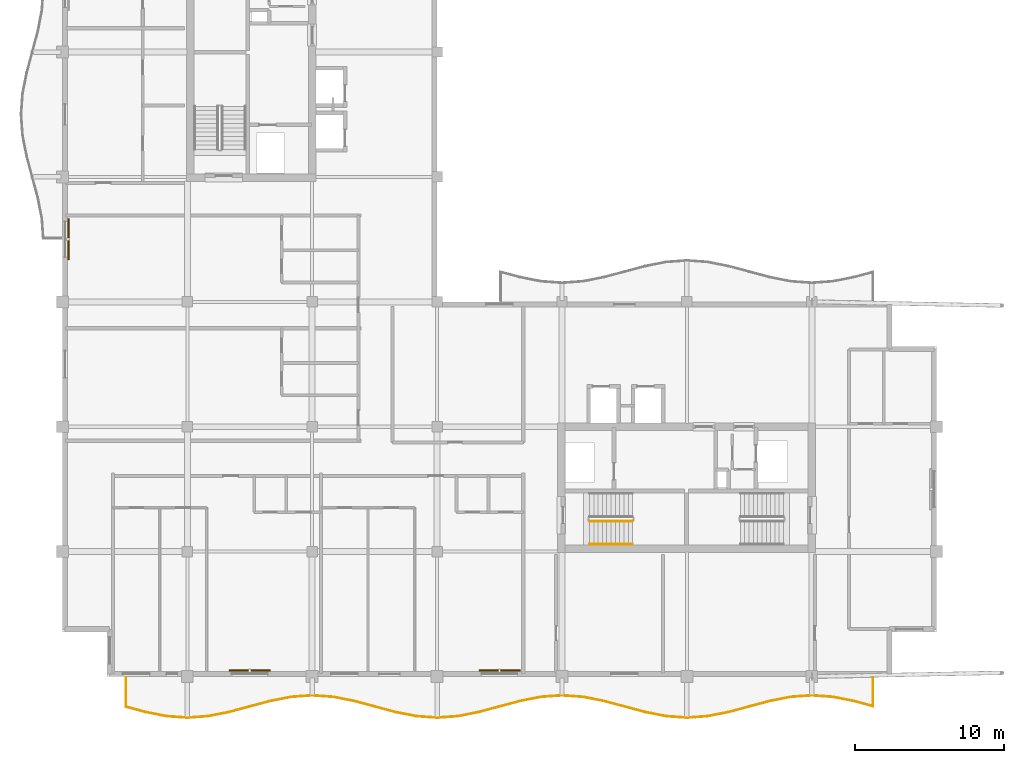
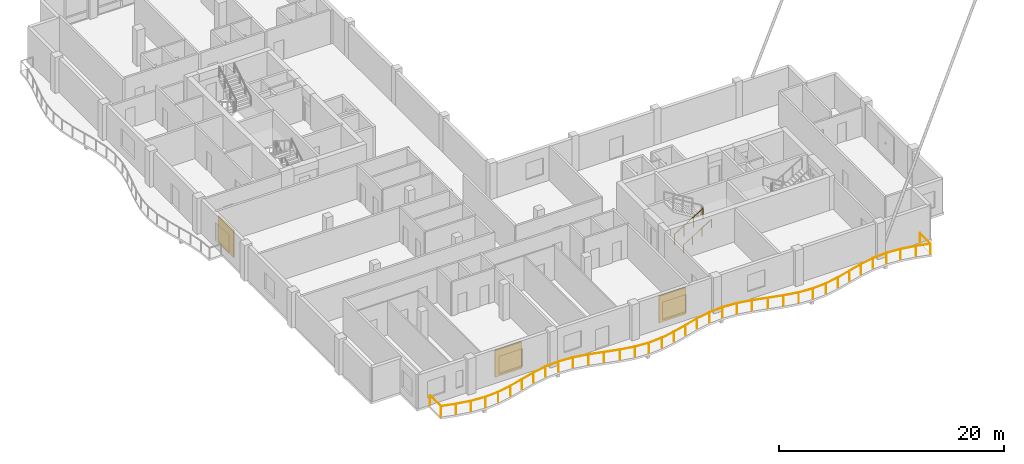
# One storey, part 15 of 17: 3 railings, 3 shading devices.
"""IFC4 building model written with IfcOpenShell, lengths in metres."""

import ifcopenshell
import ifcopenshell.guid

model = None  # the IFC model being written
_history = None  # IfcOwnerHistory: only IFC2X3 demands one
_inside = {}  # id of a spatial element -> (the spatial element, [elements in it])
_under = {}  # id of a project, library or spatial element -> (it, [spatial elements below it])
_declared = {}  # id of a project -> (the project, [libraries it declares])
_typed = {}  # id of a type object -> (the type object, [elements of that type])
_made_of = {}  # id of a material, layer set ... -> (it, [elements and type objects made of it])


def new_model(schema):
    """Start an empty IFC model of exactly this schema.

    Asked for "IFC4X3", IfcOpenShell would pick the latest addendum, in which some entities
    have other attributes; the version numbers below select the first issue.
    IFC2X3 requires an IfcOwnerHistory on every rooted entity: one is made here for all.
    """
    global model, _history
    if schema == "IFC4X3":
        model = ifcopenshell.file(schema_version=(4, 3, 0, 0))
    else:
        model = ifcopenshell.file(schema=schema)
    _inside.clear()
    _under.clear()
    _declared.clear()
    _typed.clear()
    _made_of.clear()
    _history = None
    if model.schema == "IFC2X3":
        org = make("IfcOrganization", Name="unknown")
        user = make(
            "IfcPersonAndOrganization",
            ThePerson=make("IfcPerson", FamilyName="unknown"),
            TheOrganization=org,
        )
        app = make(
            "IfcApplication",
            ApplicationDeveloper=org,
            Version="unknown",
            ApplicationFullName="unknown",
            ApplicationIdentifier="unknown",
        )
        _history = make(
            "IfcOwnerHistory",
            OwningUser=user,
            OwningApplication=app,
            ChangeAction="ADDED",
            CreationDate=0,
        )
    return model


def make(cls, **values):
    """One entity of the class cls with the attributes given. An attribute that is None is left unset."""
    return model.create_entity(
        cls, **{name: value for name, value in values.items() if value is not None}
    )


def rooted(cls, **values):
    """An entity with a GlobalId (a new one), such as an element, a storey or a relation."""
    return make(cls, GlobalId=ifcopenshell.guid.new(), OwnerHistory=_history, **values)


def si_unit(unit_type, name, prefix=None):
    """IfcSIUnit, for example si_unit("LENGTHUNIT", "METRE", prefix="MILLI")."""
    return make("IfcSIUnit", UnitType=unit_type, Prefix=prefix, Name=name)


def assignment(units):
    """IfcUnitAssignment: the units of a project."""
    return None if units is None else make("IfcUnitAssignment", Units=units)


def point(xyz):
    """IfcCartesianPoint."""
    return None if xyz is None else make("IfcCartesianPoint", Coordinates=xyz)


def direction(xyz):
    """IfcDirection."""
    return None if xyz is None else make("IfcDirection", DirectionRatios=xyz)


def frame(location, z_axis=None, x_axis=None):
    """IfcAxis2Placement3D, a coordinate frame: its origin and axes. An axis left out is left unset."""
    return make(
        "IfcAxis2Placement3D",
        Location=point(location),
        Axis=direction(z_axis),
        RefDirection=direction(x_axis),
    )


def frame_2d(location, x_axis=None):
    """IfcAxis2Placement2D, a coordinate frame in the plane: its origin and x axis."""
    return make(
        "IfcAxis2Placement2D", Location=point(location), RefDirection=direction(x_axis)
    )


def origin():
    """The frame at (0, 0, 0) with its axes left unset."""
    return frame((0.0, 0.0, 0.0))


def origin_2d():
    """The frame at (0, 0) in the plane with its x axis left unset."""
    return frame_2d((0.0, 0.0))


def place(relative_to, where):
    """IfcLocalPlacement: puts the frame where relative to a parent placement (None: the world)."""
    return make(
        "IfcLocalPlacement", PlacementRelTo=relative_to, RelativePlacement=where
    )


def context(
    kind, dimensions, precision=None, world=None, true_north=None, identifier=None
):
    """IfcGeometricRepresentationContext, for example the 3D "Model" context."""
    return make(
        "IfcGeometricRepresentationContext",
        ContextIdentifier=identifier,
        ContextType=kind,
        CoordinateSpaceDimension=dimensions,
        Precision=precision,
        WorldCoordinateSystem=world,
        TrueNorth=true_north,
    )


def subcontext(parent, identifier, kind, view, scale=None):
    """IfcGeometricRepresentationSubContext, for example "Body" below "Model"."""
    return make(
        "IfcGeometricRepresentationSubContext",
        ContextIdentifier=identifier,
        ContextType=kind,
        ParentContext=parent,
        TargetScale=scale,
        TargetView=view,
    )


def project(units=None, contexts=None):
    """IfcProject with its units and contexts."""
    return rooted(
        "IfcProject",
        Name="project",
        RepresentationContexts=contexts,
        UnitsInContext=assignment(units),
    )


def spatial(cls, under=None, at=None, **own):
    """A site, building, storey or space (cls), placed at a placement, below another one or the project."""
    s = rooted(cls, ObjectPlacement=at, **own)
    if under is not None:
        _under.setdefault(under.id(), (under, []))[1].append(s)
    return s


def profile(cls, at=None, kind="AREA", **sizes):
    """A parametric profile (cls). Its sizes go by their IFC names, for example OverallWidth=200.0."""
    return make(cls, ProfileType=kind, Position=at, **sizes)


def rectangle(**sizes):
    """IfcRectangleProfileDef."""
    return profile("IfcRectangleProfileDef", **sizes)


def circle(**sizes):
    """IfcCircleProfileDef."""
    return profile("IfcCircleProfileDef", **sizes)


def extrude(swept, where, along, depth):
    """IfcExtrudedAreaSolid: the profile swept, set in the frame where, extruded along a direction by depth."""
    return make(
        "IfcExtrudedAreaSolid",
        SweptArea=swept,
        Position=where,
        ExtrudedDirection=direction(along),
        Depth=depth,
    )


def shape(context_of_items, identifier, shape_type, items):
    """IfcShapeRepresentation: the items that make up one representation, for example the "Body"."""
    return make(
        "IfcShapeRepresentation",
        ContextOfItems=context_of_items,
        RepresentationIdentifier=identifier,
        RepresentationType=shape_type,
        Items=items,
    )


def material(Name=None, Category=None):
    """IfcMaterial."""
    return make("IfcMaterial", Name=Name, Category=Category)


def layer(
    of_material, thickness, ventilated=None, Name=None, Category=None, Priority=None
):
    """IfcMaterialLayer: one layer of a wall or slab, of a material (None: an air gap)."""
    return make(
        "IfcMaterialLayer",
        Material=of_material,
        LayerThickness=thickness,
        IsVentilated=ventilated,
        Name=Name,
        Category=Category,
        Priority=Priority,
    )


def layer_set(layers, Name=None):
    """IfcMaterialLayerSet."""
    return make("IfcMaterialLayerSet", MaterialLayers=layers, LayerSetName=Name)


def made_of(thing, what):
    """Note that an element or type object is made of a material, layer set ...; save() writes the relation."""
    if what is not None:
        _made_of.setdefault(what.id(), (what, []))[1].append(thing)
    return thing


def type_object(cls, material=None, **own):
    """A type object (cls), such as IfcWallType, which elements share."""
    return made_of(rooted(cls, **own), material)


def element(
    cls,
    number,
    at=None,
    inside=None,
    cuts=None,
    type_object=None,
    material=None,
    context=None,
    identifier="Body",
    shape_type=None,
    held_by="IfcProductDefinitionShape",
    body=None,
    shapes=None,
    **own,
):
    """One element of the class cls, such as IfcWall. Its Tag is "e" and its number.

    at: its placement. inside: the storey or other place that contains it. cuts: it is an
    opening in that element (IfcRelVoidsElement). A single representation is given by context,
    identifier, shape_type and body (its items); several are given by shapes. held_by: the class
    of the entity that holds the representations. save() writes the other relations.
    """
    e = rooted(cls, Tag="e%d" % number, ObjectPlacement=at, **own)
    if body is not None:
        shapes = [shape(context, identifier, shape_type, body)]
    if shapes is not None:
        e.Representation = make(held_by, Representations=shapes)
    if inside is not None:
        _inside.setdefault(inside.id(), (inside, []))[1].append(e)
    if cuts is not None:
        rooted(
            "IfcRelVoidsElement", RelatingBuildingElement=cuts, RelatedOpeningElement=e
        )
    if type_object is not None:
        _typed.setdefault(type_object.id(), (type_object, []))[1].append(e)
    return made_of(e, material)


def aggregate(whole, parts):
    """IfcRelAggregates: a whole, such as a stair, and the parts it consists of."""
    return rooted("IfcRelAggregates", RelatingObject=whole, RelatedObjects=parts)


def save(model, path):
    """Write the relations noted so far, then the file.

    IfcRelAggregates (storeys below a building ...), IfcRelContainedInSpatialStructure (elements
    in a storey), IfcRelDefinesByType, IfcRelAssociatesMaterial and IfcRelDeclares: one each for
    every whole, place, type object, material and project.
    """
    for whole, parts in _under.values():
        aggregate(whole, parts)
    for where, things in _inside.values():
        rooted(
            "IfcRelContainedInSpatialStructure",
            RelatedElements=things,
            RelatingStructure=where,
        )
    for kind, things in _typed.values():
        rooted("IfcRelDefinesByType", RelatedObjects=things, RelatingType=kind)
    for what, things in _made_of.values():
        rooted("IfcRelAssociatesMaterial", RelatedObjects=things, RelatingMaterial=what)
    for by, libraries in _declared.values():
        rooted("IfcRelDeclares", RelatingContext=by, RelatedDefinitions=libraries)
    model.write(path)


model = new_model("IFC4")

# Units and contexts
model_context = context("Model", 3, precision=1e-05, world=origin(), true_north=direction((0.0, 1.0)))
body_context = subcontext(model_context, "Body", "Model", "MODEL_VIEW")
ifc_project = project(units=[si_unit("LENGTHUNIT", "METRE"), si_unit("AREAUNIT", "SQUARE_METRE"), si_unit("VOLUMEUNIT", "CUBIC_METRE"), si_unit("PLANEANGLEUNIT", "RADIAN"), si_unit("MASSUNIT", "GRAM", prefix="KILO")], contexts=[model_context])

# Site, building, storey
site_placement = place(None, origin())
site = spatial("IfcSite", under=ifc_project, at=site_placement, CompositionType="ELEMENT")
building_placement = place(site_placement, origin())
building = spatial("IfcBuilding", under=site, at=building_placement, Name="Koriwani Terraces Tower", CompositionType="ELEMENT")
storey_placement = place(building_placement, frame((0.0, 0.0, 332.0)))
storey = spatial("IfcBuildingStorey", under=building, at=storey_placement, Name="L82", CompositionType="ELEMENT", Elevation=332.0)

# Railings
ifc_material_1 = material(Name="Steel ASTM A572 Grade 50", Category="steel")
railing_type_1 = type_object("IfcRailingType", Name="GUARD_BALUSTRADE_1150", PredefinedType="BALUSTRADE", material=ifc_material_1)
railing_1_placement = place(storey_placement, frame((12.679931640625, 8.320068359375, 0.0)))
element("IfcRailing", 1, at=railing_1_placement, inside=storey, type_object=railing_type_1, Name="L82 Balcony Perimeter Safety Balustrade (S)", PredefinedType="BALUSTRADE", context=body_context, shape_type="SweptSolid", body=[
    extrude(circle(Radius=0.02392578125, at=origin_2d()), frame((0.0, 0.0, 1.1259765625), z_axis=(0.0, -1.0, 0.0), x_axis=(1.0, 0.0, 0.0)), (0.0, 0.0, 1.0), 1.958740234375),
    extrude(circle(Radius=0.02392578125, at=origin_2d()), frame((0.0, -1.958740234375, 1.1259765625), z_axis=(0.965953557044, -0.25871553033, 0.0), x_axis=(0.25871553033, 0.965953557044, 0.0)), (0.0, 0.0, 1.0), 1.38525390625),
    extrude(circle(Radius=0.02392578125, at=origin_2d()), frame((1.338134765625, -2.317138671875, 1.1259765625), z_axis=(0.981327760125, -0.192342993657, 0.0), x_axis=(0.192342993657, 0.981327760125, 0.0)), (0.0, 0.0, 1.0), 1.419189453125),
    extrude(circle(Radius=0.02392578125, at=origin_2d()), frame((2.730712890625, -2.590087890625, 1.1259765625), z_axis=(0.997427466293, -0.07168297904, 0.0), x_axis=(0.07168297904, 0.997427466293, 0.0)), (0.0, 0.0, 1.0), 1.39306640625),
    extrude(circle(Radius=0.02392578125, at=origin_2d()), frame((4.1201171875, -2.68994140625, 1.1259765625), z_axis=(0.997427466293, 0.07168297904, 0.0), x_axis=(-0.07168297904, 0.997427466293, 0.0)), (0.0, 0.0, 1.0), 1.39306640625),
    extrude(circle(Radius=0.02392578125, at=origin_2d()), frame((5.509521484375, -2.590087890625, 1.1259765625), z_axis=(0.981321393675, 0.19237547223, 0.0), x_axis=(-0.19237547223, 0.981321393675, 0.0)), (0.0, 0.0, 1.0), 1.4189453125),
    extrude(circle(Radius=0.02392578125, at=origin_2d()), frame((6.90185546875, -2.317138671875, 1.1259765625), z_axis=(0.965954816498, 0.258710827923, 0.0), x_axis=(-0.258710827923, 0.965954816498, 0.0)), (0.0, 0.0, 1.0), 2.89892578125),
    extrude(circle(Radius=0.02392578125, at=origin_2d()), frame((9.7021484375, -1.567138671875, 1.1259765625), z_axis=(0.981352180954, 0.192218357442, 0.0), x_axis=(-0.192218357442, 0.981352180954, 0.0)), (0.0, 0.0, 1.0), 1.43408203125),
    extrude(circle(Radius=0.02392578125, at=origin_2d()), frame((11.109375, -1.29150390625, 1.1259765625), z_axis=(0.997430581876, 0.071639614309, 0.0), x_axis=(-0.071639614309, 0.997430581876, 0.0)), (0.0, 0.0, 1.0), 1.414306640625),
    extrude(circle(Radius=0.02392578125, at=origin_2d()), frame((12.52001953125, -1.190185546875, 1.1259765625), z_axis=(0.997430581876, -0.071639614309, 0.0), x_axis=(0.071639614309, 0.997430581876, 0.0)), (0.0, 0.0, 1.0), 1.414306640625),
    extrude(circle(Radius=0.02392578125, at=origin_2d()), frame((13.9306640625, -1.29150390625, 1.1259765625), z_axis=(0.981358469957, -0.192186246762, 0.0), x_axis=(0.192186246762, 0.981358469957, 0.0)), (0.0, 0.0, 1.0), 1.434326171875),
    extrude(circle(Radius=0.02392578125, at=origin_2d()), frame((15.338134765625, -1.567138671875, 1.1259765625), z_axis=(0.96594917914, -0.258731875344, 0.0), x_axis=(0.258731875344, 0.96594917914, 0.0)), (0.0, 0.0, 1.0), 2.898681640625),
    extrude(circle(Radius=0.02392578125, at=origin_2d()), frame((18.13818359375, -2.317138671875, 1.1259765625), z_axis=(0.981327760125, -0.192342993657, 0.0), x_axis=(0.192342993657, 0.981327760125, 0.0)), (0.0, 0.0, 1.0), 1.419189453125),
    extrude(circle(Radius=0.02392578125, at=origin_2d()), frame((19.53076171875, -2.590087890625, 1.1259765625), z_axis=(0.997427466293, -0.07168297904, 0.0), x_axis=(0.07168297904, 0.997427466293, 0.0)), (0.0, 0.0, 1.0), 1.39306640625),
    extrude(circle(Radius=0.02392578125, at=origin_2d()), frame((20.920166015625, -2.68994140625, 1.1259765625), z_axis=(0.997427466293, 0.07168297904, 0.0), x_axis=(-0.07168297904, 0.997427466293, 0.0)), (0.0, 0.0, 1.0), 1.39306640625),
    extrude(circle(Radius=0.02392578125, at=origin_2d()), frame((22.3095703125, -2.590087890625, 1.1259765625), z_axis=(0.981321393675, 0.19237547223, 0.0), x_axis=(-0.19237547223, 0.981321393675, 0.0)), (0.0, 0.0, 1.0), 1.4189453125),
    extrude(circle(Radius=0.02392578125, at=origin_2d()), frame((23.701904296875, -2.317138671875, 1.1259765625), z_axis=(0.96594917914, 0.258731875344, 0.0), x_axis=(-0.258731875344, 0.96594917914, 0.0)), (0.0, 0.0, 1.0), 2.898681640625),
    extrude(circle(Radius=0.02392578125, at=origin_2d()), frame((26.501953125, -1.567138671875, 1.1259765625), z_axis=(0.981358469957, 0.192186246762, 0.0), x_axis=(-0.192186246762, 0.981358469957, 0.0)), (0.0, 0.0, 1.0), 1.434326171875),
    extrude(circle(Radius=0.02392578125, at=origin_2d()), frame((27.909423828125, -1.29150390625, 1.1259765625), z_axis=(0.997430581876, 0.071639614309, 0.0), x_axis=(-0.071639614309, 0.997430581876, 0.0)), (0.0, 0.0, 1.0), 1.414306640625),
    extrude(circle(Radius=0.02392578125, at=origin_2d()), frame((29.320068359375, -1.190185546875, 1.1259765625), z_axis=(0.997430581876, -0.071639614309, 0.0), x_axis=(0.071639614309, 0.997430581876, 0.0)), (0.0, 0.0, 1.0), 1.414306640625),
    extrude(circle(Radius=0.02392578125, at=origin_2d()), frame((30.730712890625, -1.29150390625, 1.1259765625), z_axis=(0.981358469957, -0.192186246762, 0.0), x_axis=(0.192186246762, 0.981358469957, 0.0)), (0.0, 0.0, 1.0), 1.434326171875),
    extrude(circle(Radius=0.02392578125, at=origin_2d()), frame((32.13818359375, -1.567138671875, 1.1259765625), z_axis=(0.96594917914, -0.258731875344, 0.0), x_axis=(0.258731875344, 0.96594917914, 0.0)), (0.0, 0.0, 1.0), 2.898681640625),
    extrude(circle(Radius=0.02392578125, at=origin_2d()), frame((34.938232421875, -2.317138671875, 1.1259765625), z_axis=(0.981321393675, -0.19237547223, 0.0), x_axis=(0.19237547223, 0.981321393675, 0.0)), (0.0, 0.0, 1.0), 1.4189453125),
    extrude(circle(Radius=0.02392578125, at=origin_2d()), frame((36.33056640625, -2.590087890625, 1.1259765625), z_axis=(0.997427466293, -0.07168297904, 0.0), x_axis=(0.07168297904, 0.997427466293, 0.0)), (0.0, 0.0, 1.0), 1.39306640625),
    extrude(circle(Radius=0.02392578125, at=origin_2d()), frame((37.719970703125, -2.68994140625, 1.1259765625), z_axis=(0.997427466293, 0.07168297904, 0.0), x_axis=(-0.07168297904, 0.997427466293, 0.0)), (0.0, 0.0, 1.0), 1.39306640625),
    extrude(circle(Radius=0.02392578125, at=origin_2d()), frame((39.109375, -2.590087890625, 1.1259765625), z_axis=(0.981327760125, 0.192342993657, 0.0), x_axis=(-0.192342993657, 0.981327760125, 0.0)), (0.0, 0.0, 1.0), 1.419189453125),
    extrude(circle(Radius=0.02392578125, at=origin_2d()), frame((40.501953125, -2.317138671875, 1.1259765625), z_axis=(0.96594917914, 0.258731875344, 0.0), x_axis=(-0.258731875344, 0.96594917914, 0.0)), (0.0, 0.0, 1.0), 2.898681640625),
    extrude(circle(Radius=0.02392578125, at=origin_2d()), frame((43.302001953125, -1.567138671875, 1.1259765625), z_axis=(0.981358469957, 0.192186246762, 0.0), x_axis=(-0.192186246762, 0.981358469957, 0.0)), (0.0, 0.0, 1.0), 1.434326171875),
    extrude(circle(Radius=0.02392578125, at=origin_2d()), frame((44.70947265625, -1.29150390625, 1.1259765625), z_axis=(0.997430581876, 0.071639614309, 0.0), x_axis=(-0.071639614309, 0.997430581876, 0.0)), (0.0, 0.0, 1.0), 1.414306640625),
    extrude(circle(Radius=0.02392578125, at=origin_2d()), frame((46.1201171875, -1.190185546875, 1.1259765625), z_axis=(0.997430581876, -0.071639614309, 0.0), x_axis=(0.071639614309, 0.997430581876, 0.0)), (0.0, 0.0, 1.0), 1.414306640625),
    extrude(circle(Radius=0.02392578125, at=origin_2d()), frame((47.53076171875, -1.29150390625, 1.1259765625), z_axis=(0.981352180954, -0.192218357442, 0.0), x_axis=(0.192218357442, 0.981352180954, 0.0)), (0.0, 0.0, 1.0), 1.43408203125),
    extrude(circle(Radius=0.02392578125, at=origin_2d()), frame((48.93798828125, -1.567138671875, 1.1259765625), z_axis=(0.965969874285, -0.258654599752, 0.0), x_axis=(0.258654599752, 0.965969874285, 0.0)), (0.0, 0.0, 1.0), 1.347900390625),
    extrude(circle(Radius=0.02392578125, at=origin_2d()), frame((50.239990234375, -1.915771484375, 1.1259765625), z_axis=(0.0, 1.0, 0.0), x_axis=(-1.0, 0.0, 0.0)), (0.0, 0.0, 1.0), 1.915771484375),
    extrude(circle(Radius=0.02099609375, at=origin_2d()), origin(), (0.0, 0.0, 1.0), 1.101806640625),
    extrude(circle(Radius=0.02099609375, at=origin_2d()), frame((0.0, -1.958740234375, 0.0)), (0.0, 0.0, 1.0), 1.101806640625),
    extrude(circle(Radius=0.02099609375, at=origin_2d()), frame((1.338134765625, -2.317138671875, 0.0)), (0.0, 0.0, 1.0), 1.101806640625),
    extrude(circle(Radius=0.02099609375, at=origin_2d()), frame((2.730712890625, -2.590087890625, 0.0)), (0.0, 0.0, 1.0), 1.101806640625),
    extrude(circle(Radius=0.02099609375, at=origin_2d()), frame((4.1201171875, -2.68994140625, 0.0)), (0.0, 0.0, 1.0), 1.101806640625),
    extrude(circle(Radius=0.02099609375, at=origin_2d()), frame((5.509521484375, -2.590087890625, 0.0)), (0.0, 0.0, 1.0), 1.101806640625),
    extrude(circle(Radius=0.02099609375, at=origin_2d()), frame((6.90185546875, -2.317138671875, 0.0)), (0.0, 0.0, 1.0), 1.101806640625),
    extrude(circle(Radius=0.02099609375, at=origin_2d()), frame((8.302001953125, -1.942138671875, 0.0)), (0.0, 0.0, 1.0), 1.101806640625),
    extrude(circle(Radius=0.02099609375, at=origin_2d()), frame((9.7021484375, -1.567138671875, 0.0)), (0.0, 0.0, 1.0), 1.101806640625),
    extrude(circle(Radius=0.02099609375, at=origin_2d()), frame((11.109375, -1.29150390625, 0.0)), (0.0, 0.0, 1.0), 1.101806640625),
    extrude(circle(Radius=0.02099609375, at=origin_2d()), frame((12.52001953125, -1.190185546875, 0.0)), (0.0, 0.0, 1.0), 1.101806640625),
    extrude(circle(Radius=0.02099609375, at=origin_2d()), frame((13.9306640625, -1.29150390625, 0.0)), (0.0, 0.0, 1.0), 1.101806640625),
    extrude(circle(Radius=0.02099609375, at=origin_2d()), frame((15.338134765625, -1.567138671875, 0.0)), (0.0, 0.0, 1.0), 1.101806640625),
    extrude(circle(Radius=0.02099609375, at=origin_2d()), frame((16.73828125, -1.942138671875, 0.0)), (0.0, 0.0, 1.0), 1.101806640625),
    extrude(circle(Radius=0.02099609375, at=origin_2d()), frame((18.13818359375, -2.317138671875, 0.0)), (0.0, 0.0, 1.0), 1.101806640625),
    extrude(circle(Radius=0.02099609375, at=origin_2d()), frame((19.53076171875, -2.590087890625, 0.0)), (0.0, 0.0, 1.0), 1.101806640625),
    extrude(circle(Radius=0.02099609375, at=origin_2d()), frame((20.920166015625, -2.68994140625, 0.0)), (0.0, 0.0, 1.0), 1.101806640625),
    extrude(circle(Radius=0.02099609375, at=origin_2d()), frame((22.3095703125, -2.590087890625, 0.0)), (0.0, 0.0, 1.0), 1.101806640625),
    extrude(circle(Radius=0.02099609375, at=origin_2d()), frame((23.701904296875, -2.317138671875, 0.0)), (0.0, 0.0, 1.0), 1.101806640625),
    extrude(circle(Radius=0.02099609375, at=origin_2d()), frame((25.10205078125, -1.942138671875, 0.0)), (0.0, 0.0, 1.0), 1.101806640625),
    extrude(circle(Radius=0.02099609375, at=origin_2d()), frame((26.501953125, -1.567138671875, 0.0)), (0.0, 0.0, 1.0), 1.101806640625),
    extrude(circle(Radius=0.02099609375, at=origin_2d()), frame((27.909423828125, -1.29150390625, 0.0)), (0.0, 0.0, 1.0), 1.101806640625),
    extrude(circle(Radius=0.02099609375, at=origin_2d()), frame((29.320068359375, -1.190185546875, 0.0)), (0.0, 0.0, 1.0), 1.101806640625),
    extrude(circle(Radius=0.02099609375, at=origin_2d()), frame((30.730712890625, -1.29150390625, 0.0)), (0.0, 0.0, 1.0), 1.101806640625),
    extrude(circle(Radius=0.02099609375, at=origin_2d()), frame((32.13818359375, -1.567138671875, 0.0)), (0.0, 0.0, 1.0), 1.101806640625),
    extrude(circle(Radius=0.02099609375, at=origin_2d()), frame((33.5380859375, -1.942138671875, 0.0)), (0.0, 0.0, 1.0), 1.101806640625),
    extrude(circle(Radius=0.02099609375, at=origin_2d()), frame((34.938232421875, -2.317138671875, 0.0)), (0.0, 0.0, 1.0), 1.101806640625),
    extrude(circle(Radius=0.02099609375, at=origin_2d()), frame((36.33056640625, -2.590087890625, 0.0)), (0.0, 0.0, 1.0), 1.101806640625),
    extrude(circle(Radius=0.02099609375, at=origin_2d()), frame((37.719970703125, -2.68994140625, 0.0)), (0.0, 0.0, 1.0), 1.101806640625),
    extrude(circle(Radius=0.02099609375, at=origin_2d()), frame((39.109375, -2.590087890625, 0.0)), (0.0, 0.0, 1.0), 1.101806640625),
    extrude(circle(Radius=0.02099609375, at=origin_2d()), frame((40.501953125, -2.317138671875, 0.0)), (0.0, 0.0, 1.0), 1.101806640625),
    extrude(circle(Radius=0.02099609375, at=origin_2d()), frame((41.90185546875, -1.942138671875, 0.0)), (0.0, 0.0, 1.0), 1.101806640625),
    extrude(circle(Radius=0.02099609375, at=origin_2d()), frame((43.302001953125, -1.567138671875, 0.0)), (0.0, 0.0, 1.0), 1.101806640625),
    extrude(circle(Radius=0.02099609375, at=origin_2d()), frame((44.70947265625, -1.29150390625, 0.0)), (0.0, 0.0, 1.0), 1.101806640625),
    extrude(circle(Radius=0.02099609375, at=origin_2d()), frame((46.1201171875, -1.190185546875, 0.0)), (0.0, 0.0, 1.0), 1.101806640625),
    extrude(circle(Radius=0.02099609375, at=origin_2d()), frame((47.53076171875, -1.29150390625, 0.0)), (0.0, 0.0, 1.0), 1.101806640625),
    extrude(circle(Radius=0.02099609375, at=origin_2d()), frame((48.93798828125, -1.567138671875, 0.0)), (0.0, 0.0, 1.0), 1.101806640625),
    extrude(circle(Radius=0.02099609375, at=origin_2d()), frame((50.239990234375, -1.915771484375, 0.0)), (0.0, 0.0, 1.0), 1.101806640625),
    extrude(circle(Radius=0.02099609375, at=origin_2d()), frame((50.239990234375, 0.0, 0.0)), (0.0, 0.0, 1.0), 1.101806640625),
])
railing_type_2 = type_object("IfcRailingType", Name="GUARD_STAIR_WELL_1120", PredefinedType="GUARDRAIL", material=ifc_material_1)
railing_2_placement = place(storey_placement, frame((43.85009765625, 18.85009765625, 0.17724609375)))
element("IfcRailing", 2, at=railing_2_placement, inside=storey, type_object=railing_type_2, Name="L82 ST-E1 stair guard 1", PredefinedType="GUARDRAIL", context=body_context, shape_type="SweptSolid", body=[
    extrude(circle(Radius=0.02392578125, at=origin_2d()), frame((0.0, 0.0, 1.1259765625), z_axis=(0.853210801645, 0.0, 0.521566225858), x_axis=(0.0, 1.0, 0.0)), (0.0, 0.0, 1.0), 3.39892578125),
    extrude(circle(Radius=0.02099609375, at=origin_2d()), origin(), (0.0, 0.0, 1.0), 1.101806640625),
    extrude(circle(Radius=0.02099609375, at=origin_2d()), frame((0.966552734375, 0.0, 0.5908203125)), (0.0, 0.0, 1.0), 1.101806640625),
    extrude(circle(Radius=0.02099609375, at=origin_2d()), frame((1.933349609375, 0.0, 1.181884765625)), (0.0, 0.0, 1.0), 1.101806640625),
    extrude(circle(Radius=0.02099609375, at=origin_2d()), frame((2.89990234375, 0.0, 1.772705078125)), (0.0, 0.0, 1.0), 1.101806640625),
])
railing_type_3 = type_object("IfcRailingType", Name="HANDRAIL_STAIR_920", PredefinedType="HANDRAIL", material=ifc_material_1)
railing_3_placement = place(storey_placement, frame((43.85009765625, 17.300048828125, 0.17724609375)))
element("IfcRailing", 3, at=railing_3_placement, inside=storey, type_object=railing_type_3, Name="L82 ST-E1 stair handrail 1", PredefinedType="HANDRAIL", context=body_context, shape_type="SweptSolid", body=[
    extrude(circle(Radius=0.02392578125, at=origin_2d()), frame((0.0, 0.0, 0.8759765625), z_axis=(0.853210801645, 0.0, 0.521566225858), x_axis=(0.0, 1.0, 0.0)), (0.0, 0.0, 1.0), 3.39892578125),
    extrude(circle(Radius=0.02099609375, at=origin_2d()), origin(), (0.0, 0.0, 1.0), 0.851806640625),
    extrude(circle(Radius=0.02099609375, at=origin_2d()), frame((0.966552734375, 0.0, 0.5908203125)), (0.0, 0.0, 1.0), 0.851806640625),
    extrude(circle(Radius=0.02099609375, at=origin_2d()), frame((1.933349609375, 0.0, 1.181884765625)), (0.0, 0.0, 1.0), 0.851806640625),
    extrude(circle(Radius=0.02099609375, at=origin_2d()), frame((2.89990234375, 0.0, 1.772705078125)), (0.0, 0.0, 1.0), 0.851806640625),
])

# Shading devices
ifc_material_2 = material(Name="Extruded Terracotta Clay", Category="masonry")
ifc_layer = layer(ifc_material_2, 0.1201171875, Name="Extruded Terracotta Clay")
ifc_layer_set = layer_set([ifc_layer], Name="Extruded Terracotta Clay")
shading_device_type = type_object("IfcShadingDeviceType", Name="TERRACOTTA_BAGUETTE_SCREEN_2800", PredefinedType="USERDEFINED", material=ifc_layer_set)
for number, where, z_axis, x_axis, name in (
    (4, (8.804931640625, 37.800048828125, 0.385009765625), (0.0, 0.0, 1.0), (0.0, 1.0, 0.0), "L82 Extruded Terracotta Baguette Screen (W-9)"),
    (5, (21.0, 8.804931640625, 0.385009765625), (0.0, 0.0, 1.0), (-1.0, 0.0, 0.0), "L82 Extruded Terracotta Baguette Screen (S-3)"),
    (6, (37.800048828125, 8.804931640625, 0.385009765625), (0.0, 0.0, 1.0), (-1.0, 0.0, 0.0), "L82 Extruded Terracotta Baguette Screen (S-9)"),
):
    element("IfcShadingDevice", number, at=place(storey_placement, frame(where, z_axis=z_axis, x_axis=x_axis)), inside=storey, type_object=shading_device_type, Name=name, ObjectType="BAGUETTE", PredefinedType="USERDEFINED", context=body_context, shape_type="SweptSolid", body=[
        extrude(rectangle(XDim=2.760009765625, YDim=0.1201171875, at=origin_2d()), origin(), (0.0, 0.0, 1.0), 2.89990234375),
    ])

save(model, "model.ifc")
